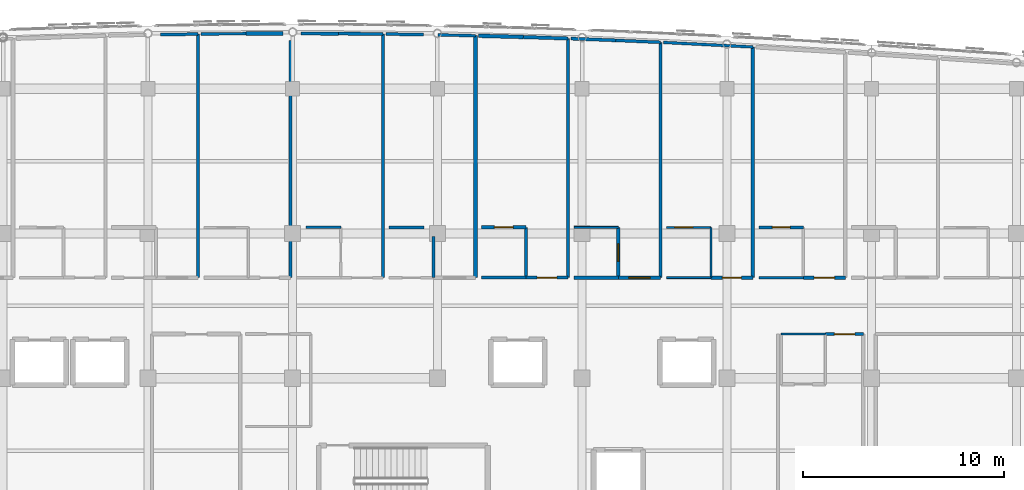
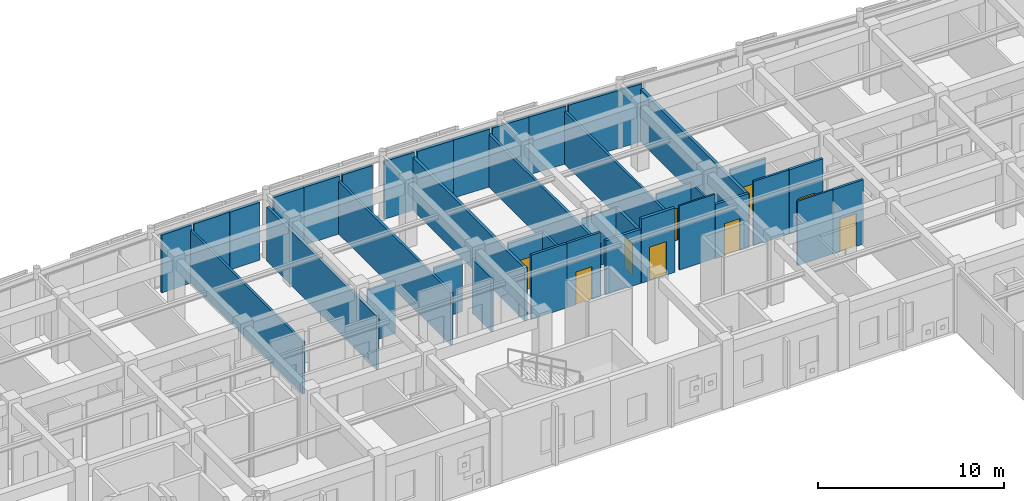
# One storey, part 83 of 106: 39 walls, 9 doors, 9 openings.
"""IFC4 building model written with IfcOpenShell, lengths in metres."""

from ifc_helpers import new_model, si_unit, direction, frame, frame_2d, origin, place, context, subcontext, project, spatial, rectangle, extrude, material, layer, layer_set, type_object, element, fill, save


model = new_model("IFC4")

# Units and contexts
model_context = context("Model", 3, precision=1e-05, world=origin(), true_north=direction((0.0, 1.0)))
body_context = subcontext(model_context, "Body", "Model", "MODEL_VIEW")
ifc_project = project(units=[si_unit("LENGTHUNIT", "METRE"), si_unit("AREAUNIT", "SQUARE_METRE"), si_unit("VOLUMEUNIT", "CUBIC_METRE"), si_unit("PLANEANGLEUNIT", "RADIAN"), si_unit("MASSUNIT", "GRAM", prefix="KILO")], contexts=[model_context])

# Site, building, storey
site_placement = place(None, origin())
site = spatial("IfcSite", under=ifc_project, at=site_placement, CompositionType="ELEMENT")
building_placement = place(site_placement, origin())
building = spatial("IfcBuilding", under=site, at=building_placement, Name="Carrowvane Square Congress Hotel", CompositionType="ELEMENT")
storey_placement = place(building_placement, frame((0.0, 0.0, 10.5)))
storey = spatial("IfcBuildingStorey", under=building, at=storey_placement, Name="L02", CompositionType="ELEMENT", Elevation=10.5)

# Walls
ifc_material_1 = material(Name="Acoustic gypsum board", Category="gypsum")
ifc_layer_1 = layer(ifc_material_1, 0.155029296875)
ifc_layer_set_1 = layer_set([ifc_layer_1], Name="Acoustic gypsum board")
wall_type_1 = type_object("IfcWallType", Name="WL-FIR-155", PredefinedType="PARTITIONING", material=ifc_layer_set_1)
wall_1_placement = place(storey_placement, frame((100.27001953125, 116.142578125, 0.0), z_axis=(0.0, 0.0, 1.0), x_axis=(0.999956311713, -0.009347441603, 0.0)))
element("IfcWall", 1, at=wall_1_placement, inside=storey, type_object=wall_type_1, Name="L02 Parkview Guest Bedroom 0211 partition", PredefinedType="PARTITIONING", context=body_context, shape_type="SweptSolid", body=[
    extrude(rectangle(XDim=2.219970703125, YDim=0.155029296875, at=frame_2d((1.10986328125, 0.0))), origin(), (0.0, 0.0, 1.0), 3.795654296875),
])
wall_2_placement = place(storey_placement, frame((109.60009765625, 106.5, 0.0), z_axis=(0.0, 0.0, 1.0), x_axis=(0.0, -1.0, 0.0)))
element("IfcWall", 2, at=wall_2_placement, inside=storey, type_object=wall_type_1, Name="L02 En-suite Bathroom 0213 partition", PredefinedType="PARTITIONING", context=body_context, shape_type="SweptSolid", body=[
    extrude(rectangle(XDim=2.5, YDim=0.155029296875, at=frame_2d((1.25, 0.0))), origin(), (0.0, 0.0, 1.0), 3.455078125),
])
wall_3_placement = place(storey_placement, frame((111.68994140625, 115.8984375, 0.0), z_axis=(0.0, 0.0, 1.0), x_axis=(0.0, -1.0, 0.0)))
element("IfcWall", 3, at=wall_3_placement, inside=storey, type_object=wall_type_1, Name="L02 Parkview Guest Bedroom 0213 partition", PredefinedType="PARTITIONING", context=body_context, shape_type="SweptSolid", body=[
    extrude(rectangle(XDim=11.8984375, YDim=0.155029296875, at=frame_2d((5.94921875, 0.0))), origin(), (0.0, 0.0, 1.0), 3.455078125),
])
wall_4_placement = place(storey_placement, frame((111.85009765625, 115.89306640625, 0.0), z_axis=(0.0, 0.0, 1.0), x_axis=(0.999247312878, -0.038791851033, 0.0)))
element("IfcWall", 4, at=wall_4_placement, inside=storey, type_object=wall_type_1, Name="L02 Parkview Guest Bedroom 0214 partition", PredefinedType="PARTITIONING", context=body_context, shape_type="SweptSolid", body=[
    extrude(rectangle(XDim=2.2216796875, YDim=0.155029296875, at=frame_2d((1.11083984375, 0.0))), origin(), (0.0, 0.0, 1.0), 3.795654296875),
])

# Wall, opening, door
wall_5_placement = place(storey_placement, frame((125.489990234375, 104.0, 0.0), z_axis=(0.0, 0.0, 1.0), x_axis=(-1.0, 0.0, 0.0)))
wall_5 = element("IfcWall", 5, at=wall_5_placement, inside=storey, type_object=wall_type_1, Name="L02 Parkview Guest Bedroom 0216 partition", PredefinedType="PARTITIONING", context=body_context, shape_type="SweptSolid", body=[
    extrude(rectangle(XDim=2.080078125, YDim=0.155029296875, at=frame_2d((1.0400390625, 0.0))), origin(), (0.0, 0.0, 1.0), 4.219970703125),
])
opening_1_placement = place(wall_5_placement, frame((0.530029296875, 0.0, 0.0)))
opening_1 = element("IfcOpeningElement", 6, at=opening_1_placement, cuts=wall_5, Name="Opening FD-08", PredefinedType="OPENING", context=body_context, shape_type="SweptSolid", body=[
    extrude(rectangle(XDim=1.02001953125, YDim=2.14990234375, at=frame_2d((0.510009765625, 1.074951171875))), frame((0.0, 0.08740234375, 0.0), z_axis=(0.0, -1.0, 0.0), x_axis=(1.0, 0.0, 0.0)), (0.0, 0.0, 1.0), 0.175048828125),
])
ifc_material_2 = material(Name="European oak timber", Category="wood")
door_type_1 = type_object("IfcDoorType", Name="DR-FD30-1020x2150", OperationType="NOTDEFINED", PredefinedType="DOOR", material=ifc_material_2)
door_1_placement = place(opening_1_placement, origin())
door_1 = element("IfcDoor", 7, at=door_1_placement, inside=storey, type_object=door_type_1, Name="L02 Parkview Guest Bedroom 0216 entrance door", OperationType="SINGLE_SWING_RIGHT", OverallHeight=2.14990234375, OverallWidth=1.02001953125, PredefinedType="DOOR", context=body_context, shape_type="SweptSolid", body=[
    extrude(rectangle(XDim=1.02001953125, YDim=2.14990234375, at=frame_2d((0.510009765625, 1.074951171875))), frame((0.0, 0.02490234375, 0.0), z_axis=(0.0, -1.0, 0.0), x_axis=(1.0, 0.0, 0.0)), (0.0, 0.0, 1.0), 0.050048828125),
])
fill(opening_1, door_1)

# Walls
ifc_material_3 = material(Name="Acoustic gypsum board", Category="gypsum")
ifc_layer_2 = layer(ifc_material_3, 0.169921875)
ifc_layer_set_2 = layer_set([ifc_layer_2], Name="Acoustic gypsum board")
wall_type_2 = type_object("IfcWallType", Name="WL-FIR-170", PredefinedType="PARTITIONING", material=ifc_layer_set_2)
wall_6_placement = place(storey_placement, frame((97.889892578125, 115.78955078125, 0.0), z_axis=(0.0, 0.0, 1.0), x_axis=(0.0, -1.0, 0.0)))
element("IfcWall", 8, at=wall_6_placement, inside=storey, type_object=wall_type_2, Name="L02 Parkview Guest Bedroom 0210 partition", PredefinedType="PARTITIONING", context=body_context, shape_type="SweptSolid", body=[
    extrude(rectangle(XDim=11.78955078125, YDim=0.169921875, at=frame_2d((5.894775390625, 0.0))), origin(), (0.0, 0.0, 1.0), 3.554931640625),
])
wall_7_placement = place(storey_placement, frame((98.409912109375, 116.148681640625, 0.0), z_axis=(0.0, 0.0, 1.0), x_axis=(0.999994616675, -0.003281252844, 0.0)))
element("IfcWall", 9, at=wall_7_placement, inside=storey, type_object=wall_type_2, Name="L02 Parkview Guest Bedroom 0211 partition", PredefinedType="PARTITIONING", context=body_context, shape_type="SweptSolid", body=[
    extrude(rectangle(XDim=1.860107421875, YDim=0.169921875, at=frame_2d((0.93017578125, 0.0))), origin(), (0.0, 0.0, 1.0), 3.795654296875),
])

# Wall, opening, door
wall_8_placement = place(storey_placement, frame((107.39990234375, 106.5, 0.0), z_axis=(0.0, 0.0, 1.0), x_axis=(1.0, 0.0, 0.0)))
wall_8 = element("IfcWall", 10, at=wall_8_placement, inside=storey, type_object=wall_type_2, Name="L02 En-suite Bathroom 0213 partition", PredefinedType="PARTITIONING", context=body_context, shape_type="SweptSolid", body=[
    extrude(rectangle(XDim=2.2001953125, YDim=0.169921875, at=frame_2d((1.10009765625, 0.0))), origin(), (0.0, 0.0, 1.0), 3.455078125),
])
opening_2_placement = place(wall_8_placement, frame((0.6298828125, 0.0, 0.0)))
opening_2 = element("IfcOpeningElement", 11, at=opening_2_placement, cuts=wall_8, Name="Opening ID-04", PredefinedType="OPENING", context=body_context, shape_type="SweptSolid", body=[
    extrude(rectangle(XDim=0.93994140625, YDim=2.1201171875, at=frame_2d((0.469970703125, 1.06005859375))), frame((0.0, 0.094970703125, 0.0), z_axis=(0.0, -1.0, 0.0), x_axis=(1.0, 0.0, 0.0)), (0.0, 0.0, 1.0), 0.18994140625),
])
ifc_material_4 = material(Name="European oak timber", Category="wood")
door_type_2 = type_object("IfcDoorType", Name="DR-INT-0940x2120", OperationType="NOTDEFINED", PredefinedType="DOOR", material=ifc_material_4)
door_2_placement = place(opening_2_placement, origin())
door_2 = element("IfcDoor", 12, at=door_2_placement, inside=storey, type_object=door_type_2, Name="L02 En-suite Bathroom 0213 door", OperationType="SINGLE_SWING_LEFT", OverallHeight=2.1201171875, OverallWidth=0.93994140625, PredefinedType="DOOR", context=body_context, shape_type="SweptSolid", body=[
    extrude(rectangle(XDim=0.93994140625, YDim=2.1201171875, at=frame_2d((0.469970703125, 1.06005859375))), frame((0.0, 0.02490234375, 0.0), z_axis=(0.0, -1.0, 0.0), x_axis=(1.0, 0.0, 0.0)), (0.0, 0.0, 1.0), 0.050048828125),
])
fill(opening_2, door_2)

# Walls
wall_9_placement = place(storey_placement, frame((109.469970703125, 115.97216796875, 0.0), z_axis=(0.0, 0.0, 1.0), x_axis=(0.999448925393, -0.033194058668, 0.0)))
element("IfcWall", 13, at=wall_9_placement, inside=storey, type_object=wall_type_2, Name="L02 Parkview Guest Bedroom 0213 partition", PredefinedType="PARTITIONING", context=body_context, shape_type="SweptSolid", body=[
    extrude(rectangle(XDim=2.22119140625, YDim=0.169921875, at=frame_2d((1.110595703125, 0.0))), origin(), (0.0, 0.0, 1.0), 3.795654296875),
])
wall_10_placement = place(storey_placement, frame((114.199951171875, 104.0, 0.0), z_axis=(0.0, 0.0, 1.0), x_axis=(-1.0, 0.0, 0.0)))
element("IfcWall", 14, at=wall_10_placement, inside=storey, type_object=wall_type_2, Name="L02 En-suite Bathroom 0214 partition", PredefinedType="PARTITIONING", context=body_context, shape_type="SweptSolid", body=[
    extrude(rectangle(XDim=2.199951171875, YDim=0.169921875, at=frame_2d((1.10009765625, 0.0))), origin(), (0.0, 0.0, 1.0), 3.554931640625),
])

# Wall, opening, door
wall_11_placement = place(storey_placement, frame((120.889892578125, 104.0, 0.0), z_axis=(0.0, 0.0, 1.0), x_axis=(-1.0, 0.0, 0.0)))
wall_11 = element("IfcWall", 15, at=wall_11_placement, inside=storey, type_object=wall_type_2, Name="L02 Parkview Guest Bedroom 0215 partition", PredefinedType="PARTITIONING", context=body_context, shape_type="SweptSolid", body=[
    extrude(rectangle(XDim=2.079833984375, YDim=0.169921875, at=frame_2d((1.0400390625, 0.0))), origin(), (0.0, 0.0, 1.0), 3.554931640625),
])
opening_3_placement = place(wall_11_placement, frame((0.56494140625, 0.0, 0.0)))
opening_3 = element("IfcOpeningElement", 16, at=opening_3_placement, cuts=wall_11, Name="Opening FD-06", PredefinedType="OPENING", context=body_context, shape_type="SweptSolid", body=[
    extrude(rectangle(XDim=0.949951171875, YDim=2.10009765625, at=frame_2d((0.47509765625, 1.050048828125))), frame((0.0, 0.094970703125, 0.0), z_axis=(0.0, -1.0, 0.0), x_axis=(1.0, 0.0, 0.0)), (0.0, 0.0, 1.0), 0.18994140625),
])
ifc_material_5 = material(Name="European oak timber", Category="wood")
door_type_3 = type_object("IfcDoorType", Name="DR-FD30-0950x2100", OperationType="NOTDEFINED", PredefinedType="DOOR", material=ifc_material_5)
door_3_placement = place(opening_3_placement, origin())
door_3 = element("IfcDoor", 17, at=door_3_placement, inside=storey, type_object=door_type_3, Name="L02 Parkview Guest Bedroom 0215 entrance door", OperationType="SINGLE_SWING_RIGHT", OverallHeight=2.10009765625, OverallWidth=0.949951171875, PredefinedType="DOOR", context=body_context, shape_type="SweptSolid", body=[
    extrude(rectangle(XDim=0.949951171875, YDim=2.10009765625, at=frame_2d((0.47509765625, 1.050048828125))), frame((0.0, 0.02490234375, 0.0), z_axis=(0.0, -1.0, 0.0), x_axis=(1.0, 0.0, 0.0)), (0.0, 0.0, 1.0), 0.050048828125),
])
fill(opening_3, door_3)

# Walls
ifc_material_6 = material(Name="Acoustic gypsum board", Category="gypsum")
ifc_layer_3 = layer(ifc_material_6, 0.18505859375)
ifc_layer_set_3 = layer_set([ifc_layer_3], Name="Acoustic gypsum board")
wall_type_3 = type_object("IfcWallType", Name="WL-FIR-185", PredefinedType="PARTITIONING", material=ifc_layer_set_3)
wall_12_placement = place(storey_placement, frame((95.669921875, 116.142333984375, 0.0), z_axis=(0.0, 0.0, 1.0), x_axis=(0.999994616675, 0.003281252844, 0.0)))
element("IfcWall", 18, at=wall_12_placement, inside=storey, type_object=wall_type_3, Name="L02 Parkview Guest Bedroom 0210 partition", PredefinedType="PARTITIONING", context=body_context, shape_type="SweptSolid", body=[
    extrude(rectangle(XDim=1.860107421875, YDim=0.18505859375, at=frame_2d((0.93017578125, 0.0))), origin(), (0.0, 0.0, 1.0), 3.795654296875),
])
wall_13_placement = place(storey_placement, frame((107.090087890625, 116.037109375, 0.0), z_axis=(0.0, 0.0, 1.0), x_axis=(0.0, -1.0, 0.0)))
element("IfcWall", 19, at=wall_13_placement, inside=storey, type_object=wall_type_3, Name="L02 Parkview Guest Bedroom 0212 partition", PredefinedType="PARTITIONING", context=body_context, shape_type="SweptSolid", body=[
    extrude(rectangle(XDim=12.037109375, YDim=0.18505859375, at=frame_2d((6.0185546875, 0.0))), origin(), (0.0, 0.0, 1.0), 3.455078125),
])
wall_14_placement = place(storey_placement, frame((107.25, 116.03369140625, 0.0), z_axis=(0.0, 0.0, 1.0), x_axis=(0.999616198539, -0.027702989336, 0.0)))
element("IfcWall", 20, at=wall_14_placement, inside=storey, type_object=wall_type_3, Name="L02 Parkview Guest Bedroom 0213 partition", PredefinedType="PARTITIONING", context=body_context, shape_type="SweptSolid", body=[
    extrude(rectangle(XDim=2.220703125, YDim=0.18505859375, at=frame_2d((1.1103515625, 0.0))), origin(), (0.0, 0.0, 1.0), 3.795654296875),
])

# Wall, opening, door
wall_15_placement = place(storey_placement, frame((114.199951171875, 106.5, 0.0), z_axis=(0.0, 0.0, 1.0), x_axis=(0.0, -1.0, 0.0)))
wall_15 = element("IfcWall", 21, at=wall_15_placement, inside=storey, type_object=wall_type_3, Name="L02 En-suite Bathroom 0214 partition", PredefinedType="PARTITIONING", context=body_context, shape_type="SweptSolid", body=[
    extrude(rectangle(XDim=2.5, YDim=0.18505859375, at=frame_2d((1.25, 0.0))), origin(), (0.0, 0.0, 1.0), 3.455078125),
])
opening_4_placement = place(wall_15_placement, frame((0.81494140625, 0.0, 0.0)))
opening_4 = element("IfcOpeningElement", 22, at=opening_4_placement, cuts=wall_15, Name="Opening ID-15", PredefinedType="OPENING", context=body_context, shape_type="SweptSolid", body=[
    extrude(rectangle(XDim=0.8701171875, YDim=2.070068359375, at=frame_2d((0.43505859375, 1.03515625))), frame((0.0, 0.1025390625, 0.0), z_axis=(0.0, -1.0, 0.0), x_axis=(1.0, 0.0, 0.0)), (0.0, 0.0, 1.0), 0.205078125),
])
ifc_material_7 = material(Name="European oak timber", Category="wood")
door_type_4 = type_object("IfcDoorType", Name="DR-INT-0870x2070", OperationType="NOTDEFINED", PredefinedType="DOOR", material=ifc_material_7)
door_4_placement = place(opening_4_placement, origin())
door_4 = element("IfcDoor", 23, at=door_4_placement, inside=storey, type_object=door_type_4, Name="L02 En-suite Bathroom 0214 door", OperationType="SINGLE_SWING_LEFT", OverallHeight=2.070068359375, OverallWidth=0.8701171875, PredefinedType="DOOR", context=body_context, shape_type="SweptSolid", body=[
    extrude(rectangle(XDim=0.8701171875, YDim=2.070068359375, at=frame_2d((0.43505859375, 1.03515625))), frame((0.0, 0.02490234375, 0.0), z_axis=(0.0, -1.0, 0.0), x_axis=(1.0, 0.0, 0.0)), (0.0, 0.0, 1.0), 0.050048828125),
])
fill(opening_4, door_4)

wall_16_placement = place(storey_placement, frame((116.2900390625, 104.0, 0.0), z_axis=(0.0, 0.0, 1.0), x_axis=(-1.0, 0.0, 0.0)))
wall_16 = element("IfcWall", 24, at=wall_16_placement, inside=storey, type_object=wall_type_3, Name="L02 Parkview Guest Bedroom 0214 partition", PredefinedType="PARTITIONING", context=body_context, shape_type="SweptSolid", body=[
    extrude(rectangle(XDim=2.080078125, YDim=0.18505859375, at=frame_2d((1.0400390625, 0.0))), origin(), (0.0, 0.0, 1.0), 4.219970703125),
])
opening_5_placement = place(wall_16_placement, frame((0.510009765625, 0.0, 0.0)))
opening_5 = element("IfcOpeningElement", 25, at=opening_5_placement, cuts=wall_16, Name="Opening FD-09", PredefinedType="OPENING", context=body_context, shape_type="SweptSolid", body=[
    extrude(rectangle(XDim=1.06005859375, YDim=2.199951171875, at=frame_2d((0.530029296875, 1.10009765625))), frame((0.0, 0.1025390625, 0.0), z_axis=(0.0, -1.0, 0.0), x_axis=(1.0, 0.0, 0.0)), (0.0, 0.0, 1.0), 0.205078125),
])
ifc_material_8 = material(Name="European oak timber", Category="wood")
door_type_5 = type_object("IfcDoorType", Name="DR-FD30-1060x2200", OperationType="NOTDEFINED", PredefinedType="DOOR", material=ifc_material_8)
door_5_placement = place(opening_5_placement, origin())
door_5 = element("IfcDoor", 26, at=door_5_placement, inside=storey, type_object=door_type_5, Name="L02 Parkview Guest Bedroom 0214 entrance door", OperationType="SINGLE_SWING_RIGHT", OverallHeight=2.199951171875, OverallWidth=1.06005859375, PredefinedType="DOOR", context=body_context, shape_type="SweptSolid", body=[
    extrude(rectangle(XDim=1.06005859375, YDim=2.199951171875, at=frame_2d((0.530029296875, 1.10009765625))), frame((0.0, 0.02490234375, 0.0), z_axis=(0.0, -1.0, 0.0), x_axis=(1.0, 0.0, 0.0)), (0.0, 0.0, 1.0), 0.050048828125),
])
fill(opening_5, door_5)

# Walls
wall_17_placement = place(storey_placement, frame((120.889892578125, 115.476806640625, 0.0), z_axis=(0.0, 0.0, 1.0), x_axis=(0.0, -1.0, 0.0)))
element("IfcWall", 27, at=wall_17_placement, inside=storey, type_object=wall_type_3, Name="L02 Parkview Guest Bedroom 0215 partition", PredefinedType="PARTITIONING", context=body_context, shape_type="SweptSolid", body=[
    extrude(rectangle(XDim=11.476806640625, YDim=0.18505859375, at=frame_2d((5.73828125, 0.0))), origin(), (0.0, 0.0, 1.0), 3.455078125),
])
ifc_material_9 = material(Name="Acoustic gypsum board", Category="gypsum")
ifc_layer_4 = layer(ifc_material_9, 0.097900390625)
ifc_layer_set_4 = layer_set([ifc_layer_4], Name="Acoustic gypsum board")
wall_type_4 = type_object("IfcWallType", Name="WL-PRT-098", PredefinedType="PARTITIONING", material=ifc_layer_set_4)
wall_18_placement = place(storey_placement, frame((112.0, 106.5, 0.0), z_axis=(0.0, 0.0, 1.0), x_axis=(1.0, 0.0, 0.0)))
element("IfcWall", 28, at=wall_18_placement, inside=storey, type_object=wall_type_4, Name="L02 En-suite Bathroom 0214 partition", PredefinedType="PARTITIONING", context=body_context, shape_type="SweptSolid", body=[
    extrude(rectangle(XDim=2.199951171875, YDim=0.097900390625, at=frame_2d((1.10009765625, 0.0))), origin(), (0.0, 0.0, 1.0), 3.455078125),
])
wall_19_placement = place(storey_placement, frame((118.800048828125, 104.0, 0.0), z_axis=(0.0, 0.0, 1.0), x_axis=(-1.0, 0.0, 0.0)))
element("IfcWall", 29, at=wall_19_placement, inside=storey, type_object=wall_type_4, Name="L02 En-suite Bathroom 0215 partition", PredefinedType="PARTITIONING", context=body_context, shape_type="SweptSolid", body=[
    extrude(rectangle(XDim=2.199951171875, YDim=0.097900390625, at=frame_2d((1.10009765625, 0.0))), origin(), (0.0, 0.0, 1.0), 4.219970703125),
])
ifc_material_10 = material(Name="Acoustic gypsum board", Category="gypsum")
ifc_layer_5 = layer(ifc_material_10, 0.10791015625)
ifc_layer_set_5 = layer_set([ifc_layer_5], Name="Acoustic gypsum board")
wall_type_5 = type_object("IfcWallType", Name="WL-PRT-108", PredefinedType="PARTITIONING", material=ifc_layer_set_5)
wall_20_placement = place(storey_placement, frame((122.300048828125, 101.199951171875, 0.0), z_axis=(0.0, 0.0, 1.0), x_axis=(1.0, 0.0, 0.0)))
element("IfcWall", 30, at=wall_20_placement, inside=storey, type_object=wall_type_5, Name="L02 En-suite Bathroom 0201 partition", PredefinedType="PARTITIONING", context=body_context, shape_type="SweptSolid", body=[
    extrude(rectangle(XDim=2.199951171875, YDim=0.10791015625, at=frame_2d((1.10009765625, 0.0))), origin(), (0.0, 0.0, 1.0), 4.219970703125),
])
wall_21_placement = place(storey_placement, frame((118.800048828125, 106.5, 0.0), z_axis=(0.0, 0.0, 1.0), x_axis=(0.0, -1.0, 0.0)))
element("IfcWall", 31, at=wall_21_placement, inside=storey, type_object=wall_type_5, Name="L02 En-suite Bathroom 0215 partition", PredefinedType="PARTITIONING", context=body_context, shape_type="SweptSolid", body=[
    extrude(rectangle(XDim=2.5, YDim=0.10791015625, at=frame_2d((1.25, 0.0))), origin(), (0.0, 0.0, 1.0), 3.455078125),
])

# Wall, opening, door
ifc_material_11 = material(Name="Acoustic gypsum board", Category="gypsum")
ifc_layer_6 = layer(ifc_material_11, 0.117919921875)
ifc_layer_set_6 = layer_set([ifc_layer_6], Name="Acoustic gypsum board")
wall_type_6 = type_object("IfcWallType", Name="WL-PRT-118", PredefinedType="PARTITIONING", material=ifc_layer_set_6)
wall_22_placement = place(storey_placement, frame((116.60009765625, 106.5, 0.0), z_axis=(0.0, 0.0, 1.0), x_axis=(1.0, 0.0, 0.0)))
wall_22 = element("IfcWall", 32, at=wall_22_placement, inside=storey, type_object=wall_type_6, Name="L02 En-suite Bathroom 0215 partition", PredefinedType="PARTITIONING", context=body_context, shape_type="SweptSolid", body=[
    extrude(rectangle(XDim=2.199951171875, YDim=0.117919921875, at=frame_2d((1.10009765625, 0.0))), origin(), (0.0, 0.0, 1.0), 3.455078125),
])
opening_6_placement = place(wall_22_placement, frame((0.39501953125, 0.0, 0.0)))
opening_6 = element("IfcOpeningElement", 33, at=opening_6_placement, cuts=wall_22, Name="Opening ID-17", PredefinedType="OPENING", context=body_context, shape_type="SweptSolid", body=[
    extrude(rectangle(XDim=0.909912109375, YDim=2.110107421875, at=frame_2d((0.455078125, 1.05517578125))), frame((0.0, 0.06884765625, 0.0), z_axis=(0.0, -1.0, 0.0), x_axis=(1.0, 0.0, 0.0)), (0.0, 0.0, 1.0), 0.137939453125),
])
ifc_material_12 = material(Name="European oak timber", Category="wood")
door_type_6 = type_object("IfcDoorType", Name="DR-INT-0910x2110", OperationType="NOTDEFINED", PredefinedType="DOOR", material=ifc_material_12)
door_6_placement = place(opening_6_placement, origin())
door_6 = element("IfcDoor", 34, at=door_6_placement, inside=storey, type_object=door_type_6, Name="L02 En-suite Bathroom 0215 door", OperationType="SINGLE_SWING_LEFT", OverallHeight=2.110107421875, OverallWidth=0.909912109375, PredefinedType="DOOR", context=body_context, shape_type="SweptSolid", body=[
    extrude(rectangle(XDim=0.909912109375, YDim=2.110107421875, at=frame_2d((0.455078125, 1.05517578125))), frame((0.0, 0.02490234375, 0.0), z_axis=(0.0, -1.0, 0.0), x_axis=(1.0, 0.0, 0.0)), (0.0, 0.0, 1.0), 0.050048828125),
])
fill(opening_6, door_6)

# Walls
ifc_material_13 = material(Name="Acoustic gypsum board", Category="gypsum")
ifc_layer_7 = layer(ifc_material_13, 0.1279296875)
ifc_layer_set_7 = layer_set([ifc_layer_7], Name="Acoustic gypsum board")
wall_type_7 = type_object("IfcWallType", Name="WL-PRT-128", PredefinedType="PARTITIONING", material=ifc_layer_set_7)
wall_23_placement = place(storey_placement, frame((98.659912109375, 106.5, 0.0), z_axis=(0.0, 0.0, 1.0), x_axis=(1.0, 0.0, 0.0)))
element("IfcWall", 35, at=wall_23_placement, inside=storey, type_object=wall_type_7, Name="L02 En-suite Bathroom 0211 partition", PredefinedType="PARTITIONING", context=body_context, shape_type="SweptSolid", body=[
    extrude(rectangle(XDim=1.739990234375, YDim=0.1279296875, at=frame_2d((0.8701171875, 0.0))), origin(), (0.0, 0.0, 1.0), 3.455078125),
])
wall_24_placement = place(storey_placement, frame((123.39990234375, 104.0, 0.0), z_axis=(0.0, 0.0, 1.0), x_axis=(-1.0, 0.0, 0.0)))
element("IfcWall", 36, at=wall_24_placement, inside=storey, type_object=wall_type_7, Name="L02 En-suite Bathroom 0216 partition", PredefinedType="PARTITIONING", context=body_context, shape_type="SweptSolid", body=[
    extrude(rectangle(XDim=2.199951171875, YDim=0.1279296875, at=frame_2d((1.10009765625, 0.0))), origin(), (0.0, 0.0, 1.0), 4.219970703125),
])
ifc_material_14 = material(Name="Acoustic gypsum board", Category="gypsum")
ifc_layer_8 = layer(ifc_material_14, 0.137939453125)
ifc_layer_set_8 = layer_set([ifc_layer_8], Name="Acoustic gypsum board")
wall_type_8 = type_object("IfcWallType", Name="WL-PRT-138", PredefinedType="PARTITIONING", material=ifc_layer_set_8)
wall_25_placement = place(storey_placement, frame((93.2900390625, 116.11962890625, 0.0), z_axis=(0.0, 0.0, 1.0), x_axis=(0.0, -1.0, 0.0)))
element("IfcWall", 37, at=wall_25_placement, inside=storey, type_object=wall_type_8, Name="L02 Parkview Guest Bedroom 0209 partition", PredefinedType="PARTITIONING", context=body_context, shape_type="SweptSolid", body=[
    extrude(rectangle(XDim=12.11962890625, YDim=0.137939453125, at=frame_2d((6.059814453125, 0.0))), origin(), (0.0, 0.0, 1.0), 3.455078125),
])
wall_26_placement = place(storey_placement, frame((93.449951171875, 116.12109375, 0.0), z_axis=(0.0, 0.0, 1.0), x_axis=(0.99995423175, 0.009567361505, 0.0)))
element("IfcWall", 38, at=wall_26_placement, inside=storey, type_object=wall_type_8, Name="L02 Parkview Guest Bedroom 0210 partition", PredefinedType="PARTITIONING", context=body_context, shape_type="SweptSolid", body=[
    extrude(rectangle(XDim=2.219970703125, YDim=0.137939453125, at=frame_2d((1.10986328125, 0.0))), origin(), (0.0, 0.0, 1.0), 3.795654296875),
])
wall_27_placement = place(storey_placement, frame((105.0, 106.0400390625, 0.0), z_axis=(0.0, 0.0, 1.0), x_axis=(0.0, -1.0, 0.0)))
element("IfcWall", 39, at=wall_27_placement, inside=storey, type_object=wall_type_8, Name="L02 En-suite Bathroom 0212 partition", PredefinedType="PARTITIONING", context=body_context, shape_type="SweptSolid", body=[
    extrude(rectangle(XDim=2.0400390625, YDim=0.137939453125, at=frame_2d((1.02001953125, 0.0))), origin(), (0.0, 0.0, 1.0), 3.554931640625),
])
wall_28_placement = place(storey_placement, frame((105.22998046875, 116.077392578125, 0.0), z_axis=(0.0, 0.0, 1.0), x_axis=(0.99976558294, -0.021651308726, 0.0)))
element("IfcWall", 40, at=wall_28_placement, inside=storey, type_object=wall_type_8, Name="L02 Parkview Guest Bedroom 0212 partition", PredefinedType="PARTITIONING", context=body_context, shape_type="SweptSolid", body=[
    extrude(rectangle(XDim=1.860595703125, YDim=0.137939453125, at=frame_2d((0.93017578125, 0.0))), origin(), (0.0, 0.0, 1.0), 3.795654296875),
])
wall_29_placement = place(storey_placement, frame((116.2900390625, 115.7099609375, 0.0), z_axis=(0.0, 0.0, 1.0), x_axis=(0.0, -1.0, 0.0)))
element("IfcWall", 41, at=wall_29_placement, inside=storey, type_object=wall_type_8, Name="L02 Parkview Guest Bedroom 0214 partition", PredefinedType="PARTITIONING", context=body_context, shape_type="SweptSolid", body=[
    extrude(rectangle(XDim=11.7099609375, YDim=0.137939453125, at=frame_2d((5.85498046875, 0.0))), origin(), (0.0, 0.0, 1.0), 3.455078125),
])
wall_30_placement = place(storey_placement, frame((116.449951171875, 115.70263671875, 0.0), z_axis=(0.0, 0.0, 1.0), x_axis=(0.998708966744, -0.050797635227, 0.0)))
element("IfcWall", 42, at=wall_30_placement, inside=storey, type_object=wall_type_8, Name="L02 Parkview Guest Bedroom 0215 partition", PredefinedType="PARTITIONING", context=body_context, shape_type="SweptSolid", body=[
    extrude(rectangle(XDim=4.44580078125, YDim=0.137939453125, at=frame_2d((2.222900390625, 0.0))), origin(), (0.0, 0.0, 1.0), 3.795654296875),
])

# Wall, opening, door
ifc_material_15 = material(Name="Acoustic gypsum board", Category="gypsum")
ifc_layer_9 = layer(ifc_material_15, 0.14794921875)
ifc_layer_set_9 = layer_set([ifc_layer_9], Name="Acoustic gypsum board")
wall_type_9 = type_object("IfcWallType", Name="WL-PRT-148", PredefinedType="PARTITIONING", material=ifc_layer_set_9)
wall_31_placement = place(storey_placement, frame((124.510009765625, 101.199951171875, 0.0), z_axis=(0.0, 0.0, 1.0), x_axis=(1.0, 0.0, 0.0)))
wall_31 = element("IfcWall", 43, at=wall_31_placement, inside=storey, type_object=wall_type_9, Name="L02 Hotel Guest Bedroom 0201 partition", PredefinedType="PARTITIONING", context=body_context, shape_type="SweptSolid", body=[
    extrude(rectangle(XDim=1.8798828125, YDim=0.14794921875, at=frame_2d((0.93994140625, 0.0))), origin(), (0.0, 0.0, 1.0), 4.219970703125),
])
opening_7_placement = place(wall_31_placement, frame((0.429931640625, 0.0, 0.0)))
opening_7 = element("IfcOpeningElement", 44, at=opening_7_placement, cuts=wall_31, Name="Opening FD-08", PredefinedType="OPENING", context=body_context, shape_type="SweptSolid", body=[
    extrude(rectangle(XDim=1.02001953125, YDim=2.14990234375, at=frame_2d((0.510009765625, 1.074951171875))), frame((0.0, 0.083984375, 0.0), z_axis=(0.0, -1.0, 0.0), x_axis=(1.0, 0.0, 0.0)), (0.0, 0.0, 1.0), 0.16796875),
])
door_7_placement = place(opening_7_placement, origin())
door_7 = element("IfcDoor", 45, at=door_7_placement, inside=storey, type_object=door_type_1, Name="L02 Hotel Guest Bedroom 0201 entrance door", OperationType="SINGLE_SWING_RIGHT", OverallHeight=2.14990234375, OverallWidth=1.02001953125, PredefinedType="DOOR", context=body_context, shape_type="SweptSolid", body=[
    extrude(rectangle(XDim=1.02001953125, YDim=2.14990234375, at=frame_2d((0.510009765625, 1.074951171875))), frame((0.0, 0.02490234375, 0.0), z_axis=(0.0, -1.0, 0.0), x_axis=(1.0, 0.0, 0.0)), (0.0, 0.0, 1.0), 0.050048828125),
])
fill(opening_7, door_7)

# Walls
wall_32_placement = place(storey_placement, frame((91.429931640625, 116.08984375, 0.0), z_axis=(0.0, 0.0, 1.0), x_axis=(0.999871822968, 0.016010547631, 0.0)))
element("IfcWall", 46, at=wall_32_placement, inside=storey, type_object=wall_type_9, Name="L02 Parkview Guest Bedroom 0209 partition", PredefinedType="PARTITIONING", context=body_context, shape_type="SweptSolid", body=[
    extrude(rectangle(XDim=1.8603515625, YDim=0.14794921875, at=frame_2d((0.93017578125, 0.0))), origin(), (0.0, 0.0, 1.0), 3.795654296875),
])
wall_33_placement = place(storey_placement, frame((102.489990234375, 116.121826171875, 0.0), z_axis=(0.0, 0.0, 1.0), x_axis=(0.0, -1.0, 0.0)))
element("IfcWall", 47, at=wall_33_placement, inside=storey, type_object=wall_type_9, Name="L02 Parkview Guest Bedroom 0211 partition", PredefinedType="PARTITIONING", context=body_context, shape_type="SweptSolid", body=[
    extrude(rectangle(XDim=12.121826171875, YDim=0.14794921875, at=frame_2d((6.06103515625, 0.0))), origin(), (0.0, 0.0, 1.0), 3.455078125),
])
wall_34_placement = place(storey_placement, frame((102.800048828125, 106.5, 0.0), z_axis=(0.0, 0.0, 1.0), x_axis=(1.0, 0.0, 0.0)))
element("IfcWall", 48, at=wall_34_placement, inside=storey, type_object=wall_type_9, Name="L02 En-suite Bathroom 0212 partition", PredefinedType="PARTITIONING", context=body_context, shape_type="SweptSolid", body=[
    extrude(rectangle(XDim=1.739990234375, YDim=0.14794921875, at=frame_2d((0.8701171875, 0.0))), origin(), (0.0, 0.0, 1.0), 3.455078125),
])
wall_35_placement = place(storey_placement, frame((102.64990234375, 116.1201171875, 0.0), z_axis=(0.0, 0.0, 1.0), x_axis=(0.999875990271, -0.015748145273, 0.0)))
element("IfcWall", 49, at=wall_35_placement, inside=storey, type_object=wall_type_9, Name="L02 Parkview Guest Bedroom 0212 partition", PredefinedType="PARTITIONING", context=body_context, shape_type="SweptSolid", body=[
    extrude(rectangle(XDim=1.8603515625, YDim=0.14794921875, at=frame_2d((0.93017578125, 0.0))), origin(), (0.0, 0.0, 1.0), 3.795654296875),
])
wall_36_placement = place(storey_placement, frame((109.60009765625, 104.0, 0.0), z_axis=(0.0, 0.0, 1.0), x_axis=(-1.0, 0.0, 0.0)))
element("IfcWall", 50, at=wall_36_placement, inside=storey, type_object=wall_type_9, Name="L02 En-suite Bathroom 0213 partition", PredefinedType="PARTITIONING", context=body_context, shape_type="SweptSolid", body=[
    extrude(rectangle(XDim=2.2001953125, YDim=0.14794921875, at=frame_2d((1.10009765625, 0.0))), origin(), (0.0, 0.0, 1.0), 4.219970703125),
])

# Wall, opening, door
wall_37_placement = place(storey_placement, frame((111.68994140625, 104.0, 0.0), z_axis=(0.0, 0.0, 1.0), x_axis=(-1.0, 0.0, 0.0)))
wall_37 = element("IfcWall", 51, at=wall_37_placement, inside=storey, type_object=wall_type_9, Name="L02 Parkview Guest Bedroom 0213 partition", PredefinedType="PARTITIONING", context=body_context, shape_type="SweptSolid", body=[
    extrude(rectangle(XDim=2.079833984375, YDim=0.14794921875, at=frame_2d((1.0400390625, 0.0))), origin(), (0.0, 0.0, 1.0), 4.219970703125),
])
opening_8_placement = place(wall_37_placement, frame((0.550048828125, 0.0, 0.0)))
opening_8 = element("IfcOpeningElement", 52, at=opening_8_placement, cuts=wall_37, Name="Opening FD-07", PredefinedType="OPENING", context=body_context, shape_type="SweptSolid", body=[
    extrude(rectangle(XDim=0.97998046875, YDim=2.14990234375, at=frame_2d((0.489990234375, 1.074951171875))), frame((0.0, 0.083984375, 0.0), z_axis=(0.0, -1.0, 0.0), x_axis=(1.0, 0.0, 0.0)), (0.0, 0.0, 1.0), 0.16796875),
])
ifc_material_16 = material(Name="European oak timber", Category="wood")
door_type_7 = type_object("IfcDoorType", Name="DR-FD30-0980x2150", OperationType="NOTDEFINED", PredefinedType="DOOR", material=ifc_material_16)
door_8_placement = place(opening_8_placement, origin())
door_8 = element("IfcDoor", 53, at=door_8_placement, inside=storey, type_object=door_type_7, Name="L02 Parkview Guest Bedroom 0213 entrance door", OperationType="SINGLE_SWING_RIGHT", OverallHeight=2.14990234375, OverallWidth=0.97998046875, PredefinedType="DOOR", context=body_context, shape_type="SweptSolid", body=[
    extrude(rectangle(XDim=0.97998046875, YDim=2.14990234375, at=frame_2d((0.489990234375, 1.074951171875))), frame((0.0, 0.02490234375, 0.0), z_axis=(0.0, -1.0, 0.0), x_axis=(1.0, 0.0, 0.0)), (0.0, 0.0, 1.0), 0.050048828125),
])
fill(opening_8, door_8)

# Wall
wall_38_placement = place(storey_placement, frame((114.070068359375, 115.806884765625, 0.0), z_axis=(0.0, 0.0, 1.0), x_axis=(0.999048264452, -0.043618405475, 0.0)))
element("IfcWall", 54, at=wall_38_placement, inside=storey, type_object=wall_type_9, Name="L02 Parkview Guest Bedroom 0214 partition", PredefinedType="PARTITIONING", context=body_context, shape_type="SweptSolid", body=[
    extrude(rectangle(XDim=2.22216796875, YDim=0.14794921875, at=frame_2d((1.111083984375, 0.0))), origin(), (0.0, 0.0, 1.0), 3.795654296875),
])

# Wall, opening, door
wall_39_placement = place(storey_placement, frame((121.199951171875, 106.5, 0.0), z_axis=(0.0, 0.0, 1.0), x_axis=(1.0, 0.0, 0.0)))
wall_39 = element("IfcWall", 55, at=wall_39_placement, inside=storey, type_object=wall_type_9, Name="L02 En-suite Bathroom 0216 partition", PredefinedType="PARTITIONING", context=body_context, shape_type="SweptSolid", body=[
    extrude(rectangle(XDim=2.199951171875, YDim=0.14794921875, at=frame_2d((1.10009765625, 0.0))), origin(), (0.0, 0.0, 1.0), 3.455078125),
])
opening_9_placement = place(wall_39_placement, frame((0.659912109375, 0.0, 0.0)))
opening_9 = element("IfcOpeningElement", 56, at=opening_9_placement, cuts=wall_39, Name="Opening ID-01", PredefinedType="OPENING", context=body_context, shape_type="SweptSolid", body=[
    extrude(rectangle(XDim=0.8798828125, YDim=2.06005859375, at=frame_2d((0.43994140625, 1.030029296875))), frame((0.0, 0.083984375, 0.0), z_axis=(0.0, -1.0, 0.0), x_axis=(1.0, 0.0, 0.0)), (0.0, 0.0, 1.0), 0.16796875),
])
ifc_material_17 = material(Name="European oak timber", Category="wood")
door_type_8 = type_object("IfcDoorType", Name="DR-INT-0880x2060", OperationType="NOTDEFINED", PredefinedType="DOOR", material=ifc_material_17)
door_9_placement = place(opening_9_placement, origin())
door_9 = element("IfcDoor", 57, at=door_9_placement, inside=storey, type_object=door_type_8, Name="L02 En-suite Bathroom 0216 door", OperationType="SINGLE_SWING_LEFT", OverallHeight=2.06005859375, OverallWidth=0.8798828125, PredefinedType="DOOR", context=body_context, shape_type="SweptSolid", body=[
    extrude(rectangle(XDim=0.8798828125, YDim=2.06005859375, at=frame_2d((0.43994140625, 1.030029296875))), frame((0.0, 0.02490234375, 0.0), z_axis=(0.0, -1.0, 0.0), x_axis=(1.0, 0.0, 0.0)), (0.0, 0.0, 1.0), 0.050048828125),
])
fill(opening_9, door_9)

save(model, "model.ifc")
